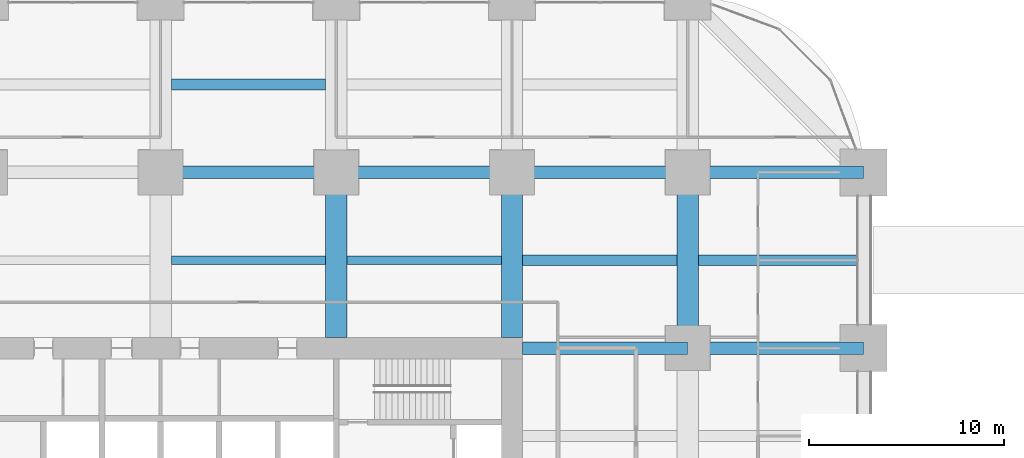
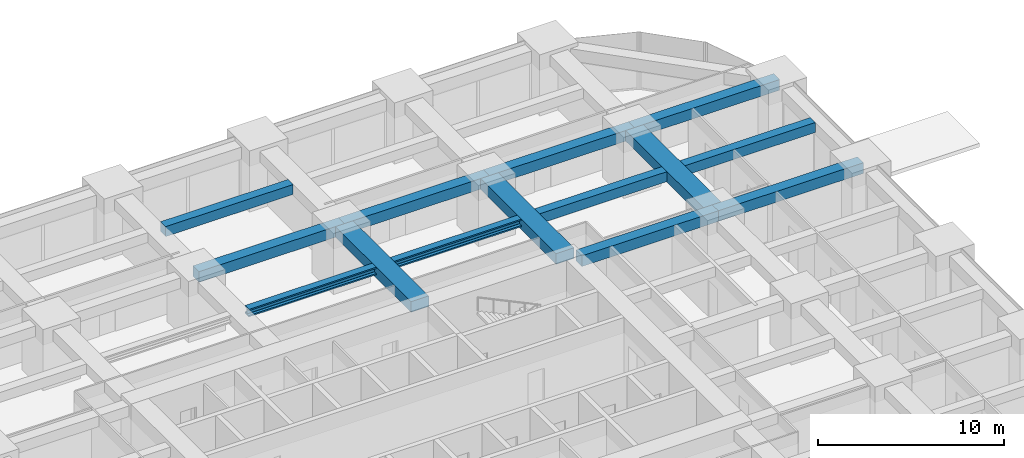
# One storey, part 21 of 39: 14 beams.
"""IFC4 building model written with IfcOpenShell, lengths in metres."""

import ifcopenshell
import ifcopenshell.guid

model = None  # the IFC model being written
_history = None  # IfcOwnerHistory: only IFC2X3 demands one
_inside = {}  # id of a spatial element -> (the spatial element, [elements in it])
_under = {}  # id of a project, library or spatial element -> (it, [spatial elements below it])
_declared = {}  # id of a project -> (the project, [libraries it declares])
_typed = {}  # id of a type object -> (the type object, [elements of that type])
_made_of = {}  # id of a material, layer set ... -> (it, [elements and type objects made of it])


def new_model(schema):
    """Start an empty IFC model of exactly this schema.

    Asked for "IFC4X3", IfcOpenShell would pick the latest addendum, in which some entities
    have other attributes; the version numbers below select the first issue.
    IFC2X3 requires an IfcOwnerHistory on every rooted entity: one is made here for all.
    """
    global model, _history
    if schema == "IFC4X3":
        model = ifcopenshell.file(schema_version=(4, 3, 0, 0))
    else:
        model = ifcopenshell.file(schema=schema)
    _inside.clear()
    _under.clear()
    _declared.clear()
    _typed.clear()
    _made_of.clear()
    _history = None
    if model.schema == "IFC2X3":
        org = make("IfcOrganization", Name="unknown")
        user = make(
            "IfcPersonAndOrganization",
            ThePerson=make("IfcPerson", FamilyName="unknown"),
            TheOrganization=org,
        )
        app = make(
            "IfcApplication",
            ApplicationDeveloper=org,
            Version="unknown",
            ApplicationFullName="unknown",
            ApplicationIdentifier="unknown",
        )
        _history = make(
            "IfcOwnerHistory",
            OwningUser=user,
            OwningApplication=app,
            ChangeAction="ADDED",
            CreationDate=0,
        )
    return model


def make(cls, **values):
    """One entity of the class cls with the attributes given. An attribute that is None is left unset."""
    return model.create_entity(
        cls, **{name: value for name, value in values.items() if value is not None}
    )


def rooted(cls, **values):
    """An entity with a GlobalId (a new one), such as an element, a storey or a relation."""
    return make(cls, GlobalId=ifcopenshell.guid.new(), OwnerHistory=_history, **values)


def si_unit(unit_type, name, prefix=None):
    """IfcSIUnit, for example si_unit("LENGTHUNIT", "METRE", prefix="MILLI")."""
    return make("IfcSIUnit", UnitType=unit_type, Prefix=prefix, Name=name)


def assignment(units):
    """IfcUnitAssignment: the units of a project."""
    return None if units is None else make("IfcUnitAssignment", Units=units)


def point(xyz):
    """IfcCartesianPoint."""
    return None if xyz is None else make("IfcCartesianPoint", Coordinates=xyz)


def direction(xyz):
    """IfcDirection."""
    return None if xyz is None else make("IfcDirection", DirectionRatios=xyz)


def frame(location, z_axis=None, x_axis=None):
    """IfcAxis2Placement3D, a coordinate frame: its origin and axes. An axis left out is left unset."""
    return make(
        "IfcAxis2Placement3D",
        Location=point(location),
        Axis=direction(z_axis),
        RefDirection=direction(x_axis),
    )


def frame_2d(location, x_axis=None):
    """IfcAxis2Placement2D, a coordinate frame in the plane: its origin and x axis."""
    return make(
        "IfcAxis2Placement2D", Location=point(location), RefDirection=direction(x_axis)
    )


def origin():
    """The frame at (0, 0, 0) with its axes left unset."""
    return frame((0.0, 0.0, 0.0))


def origin_2d():
    """The frame at (0, 0) in the plane with its x axis left unset."""
    return frame_2d((0.0, 0.0))


def place(relative_to, where):
    """IfcLocalPlacement: puts the frame where relative to a parent placement (None: the world)."""
    return make(
        "IfcLocalPlacement", PlacementRelTo=relative_to, RelativePlacement=where
    )


def context(
    kind, dimensions, precision=None, world=None, true_north=None, identifier=None
):
    """IfcGeometricRepresentationContext, for example the 3D "Model" context."""
    return make(
        "IfcGeometricRepresentationContext",
        ContextIdentifier=identifier,
        ContextType=kind,
        CoordinateSpaceDimension=dimensions,
        Precision=precision,
        WorldCoordinateSystem=world,
        TrueNorth=true_north,
    )


def subcontext(parent, identifier, kind, view, scale=None):
    """IfcGeometricRepresentationSubContext, for example "Body" below "Model"."""
    return make(
        "IfcGeometricRepresentationSubContext",
        ContextIdentifier=identifier,
        ContextType=kind,
        ParentContext=parent,
        TargetScale=scale,
        TargetView=view,
    )


def project(units=None, contexts=None):
    """IfcProject with its units and contexts."""
    return rooted(
        "IfcProject",
        Name="project",
        RepresentationContexts=contexts,
        UnitsInContext=assignment(units),
    )


def spatial(cls, under=None, at=None, **own):
    """A site, building, storey or space (cls), placed at a placement, below another one or the project."""
    s = rooted(cls, ObjectPlacement=at, **own)
    if under is not None:
        _under.setdefault(under.id(), (under, []))[1].append(s)
    return s


def profile(cls, at=None, kind="AREA", **sizes):
    """A parametric profile (cls). Its sizes go by their IFC names, for example OverallWidth=200.0."""
    return make(cls, ProfileType=kind, Position=at, **sizes)


def rectangle(**sizes):
    """IfcRectangleProfileDef."""
    return profile("IfcRectangleProfileDef", **sizes)


def i_section(**sizes):
    """IfcIShapeProfileDef."""
    return profile("IfcIShapeProfileDef", **sizes)


def extrude(swept, where, along, depth):
    """IfcExtrudedAreaSolid: the profile swept, set in the frame where, extruded along a direction by depth."""
    return make(
        "IfcExtrudedAreaSolid",
        SweptArea=swept,
        Position=where,
        ExtrudedDirection=direction(along),
        Depth=depth,
    )


def shape(context_of_items, identifier, shape_type, items):
    """IfcShapeRepresentation: the items that make up one representation, for example the "Body"."""
    return make(
        "IfcShapeRepresentation",
        ContextOfItems=context_of_items,
        RepresentationIdentifier=identifier,
        RepresentationType=shape_type,
        Items=items,
    )


def material(Name=None, Category=None):
    """IfcMaterial."""
    return make("IfcMaterial", Name=Name, Category=Category)


def material_profile(
    of_material, cross_section, Name=None, Category=None, Priority=None
):
    """IfcMaterialProfile: a cross section and its material."""
    return make(
        "IfcMaterialProfile",
        Name=Name,
        Material=of_material,
        Profile=cross_section,
        Priority=Priority,
        Category=Category,
    )


def profile_set(profiles, Name=None, composite=None):
    """IfcMaterialProfileSet."""
    return make(
        "IfcMaterialProfileSet",
        Name=Name,
        MaterialProfiles=profiles,
        CompositeProfile=composite,
    )


def made_of(thing, what):
    """Note that an element or type object is made of a material, layer set ...; save() writes the relation."""
    if what is not None:
        _made_of.setdefault(what.id(), (what, []))[1].append(thing)
    return thing


def type_object(cls, material=None, **own):
    """A type object (cls), such as IfcWallType, which elements share."""
    return made_of(rooted(cls, **own), material)


def element(
    cls,
    number,
    at=None,
    inside=None,
    cuts=None,
    type_object=None,
    material=None,
    context=None,
    identifier="Body",
    shape_type=None,
    held_by="IfcProductDefinitionShape",
    body=None,
    shapes=None,
    **own,
):
    """One element of the class cls, such as IfcWall. Its Tag is "e" and its number.

    at: its placement. inside: the storey or other place that contains it. cuts: it is an
    opening in that element (IfcRelVoidsElement). A single representation is given by context,
    identifier, shape_type and body (its items); several are given by shapes. held_by: the class
    of the entity that holds the representations. save() writes the other relations.
    """
    e = rooted(cls, Tag="e%d" % number, ObjectPlacement=at, **own)
    if body is not None:
        shapes = [shape(context, identifier, shape_type, body)]
    if shapes is not None:
        e.Representation = make(held_by, Representations=shapes)
    if inside is not None:
        _inside.setdefault(inside.id(), (inside, []))[1].append(e)
    if cuts is not None:
        rooted(
            "IfcRelVoidsElement", RelatingBuildingElement=cuts, RelatedOpeningElement=e
        )
    if type_object is not None:
        _typed.setdefault(type_object.id(), (type_object, []))[1].append(e)
    return made_of(e, material)


def aggregate(whole, parts):
    """IfcRelAggregates: a whole, such as a stair, and the parts it consists of."""
    return rooted("IfcRelAggregates", RelatingObject=whole, RelatedObjects=parts)


def save(model, path):
    """Write the relations noted so far, then the file.

    IfcRelAggregates (storeys below a building ...), IfcRelContainedInSpatialStructure (elements
    in a storey), IfcRelDefinesByType, IfcRelAssociatesMaterial and IfcRelDeclares: one each for
    every whole, place, type object, material and project.
    """
    for whole, parts in _under.values():
        aggregate(whole, parts)
    for where, things in _inside.values():
        rooted(
            "IfcRelContainedInSpatialStructure",
            RelatedElements=things,
            RelatingStructure=where,
        )
    for kind, things in _typed.values():
        rooted("IfcRelDefinesByType", RelatedObjects=things, RelatingType=kind)
    for what, things in _made_of.values():
        rooted("IfcRelAssociatesMaterial", RelatedObjects=things, RelatingMaterial=what)
    for by, libraries in _declared.values():
        rooted("IfcRelDeclares", RelatingContext=by, RelatedDefinitions=libraries)
    model.write(path)


model = new_model("IFC4")

# Units and contexts
model_context = context("Model", 3, precision=1e-05, world=origin(), true_north=direction((0.0, 1.0)))
body_context = subcontext(model_context, "Body", "Model", "MODEL_VIEW")
ifc_project = project(units=[si_unit("LENGTHUNIT", "METRE"), si_unit("AREAUNIT", "SQUARE_METRE"), si_unit("VOLUMEUNIT", "CUBIC_METRE"), si_unit("PLANEANGLEUNIT", "RADIAN"), si_unit("MASSUNIT", "GRAM", prefix="KILO")], contexts=[model_context])

# Site, building, storey
site_placement = place(None, origin())
site = spatial("IfcSite", under=ifc_project, at=site_placement, CompositionType="ELEMENT")
building_placement = place(site_placement, origin())
building = spatial("IfcBuilding", under=site, at=building_placement, Name="Zorevar Civic Tower", CompositionType="ELEMENT")
storey_placement = place(building_placement, frame((0.0, 0.0, 19.800048828125)))
storey = spatial("IfcBuildingStorey", under=building, at=storey_placement, Name="L04", CompositionType="ELEMENT", Elevation=19.800048828125)

# Beams
ifc_material_1 = material(Name="Concrete C50/60", Category="concrete")
ifc_material_profile_1 = material_profile(ifc_material_1, rectangle(XDim=1.10009765625, YDim=0.699951171875, at=origin_2d()), Name="RC 1100x700")
ifc_profile_set_1 = profile_set([ifc_material_profile_1], Name="Concrete C50/60")
beam_type_1 = type_object("IfcBeamType", Name="Beam RC 1100x700", PredefinedType="BEAM", material=ifc_profile_set_1)
for number, where, z_axis, x_axis, name in (
    (1, (36.0, 36.550048828125, 3.39990234375), (0.0, 1.0, 0.0), (-1.0, 0.0, 0.0), "Girder L05"),
    (2, (45.0, 36.550048828125, 3.39990234375), (0.0, 1.0, 0.0), (-1.0, 0.0, 0.0), "Girder L05"),
):
    element("IfcBeam", number, at=place(storey_placement, frame(where, z_axis=z_axis, x_axis=x_axis)), inside=storey, type_object=beam_type_1, Name=name, PredefinedType="BEAM", context=body_context, shape_type="SweptSolid", body=[
        extrude(rectangle(XDim=1.10009765625, YDim=0.699951171875, at=origin_2d()), origin(), (0.0, 0.0, 1.0), 8.449951171875),
    ])
beam_1_placement = place(storey_placement, frame((54.0, 36.0, 3.39990234375), z_axis=(0.0, 1.0, 0.0), x_axis=(-1.0, 0.0, 0.0)))
element("IfcBeam", 3, at=beam_1_placement, inside=storey, type_object=beam_type_1, Name="Girder L05", PredefinedType="BEAM", context=body_context, shape_type="SweptSolid", body=[
    extrude(rectangle(XDim=1.10009765625, YDim=0.699951171875, at=origin_2d()), origin(), (0.0, 0.0, 1.0), 9.0),
])
ifc_material_2 = material(Name="Concrete C50/60", Category="concrete")
ifc_material_profile_2 = material_profile(ifc_material_2, rectangle(XDim=0.550048828125, YDim=0.64990234375, at=origin_2d()), Name="RC 550x650")
ifc_profile_set_2 = profile_set([ifc_material_profile_2], Name="Concrete C50/60")
beam_type_2 = type_object("IfcBeamType", Name="Beam RC 550x650", PredefinedType="BEAM", material=ifc_profile_set_2)
beam_2_placement = place(storey_placement, frame((45.550048828125, 40.5, 3.425048828125), z_axis=(1.0, 0.0, 0.0), x_axis=(0.0, 1.0, 0.0)))
element("IfcBeam", 4, at=beam_2_placement, inside=storey, type_object=beam_type_2, Name="Secondary beam L05", PredefinedType="BEAM", context=body_context, shape_type="SweptSolid", body=[
    extrude(rectangle(XDim=0.550048828125, YDim=0.64990234375, at=origin_2d()), origin(), (0.0, 0.0, 1.0), 7.89990234375),
])
beam_3_placement = place(storey_placement, frame((54.550048828125, 40.5, 3.425048828125), z_axis=(1.0, 0.0, 0.0), x_axis=(0.0, 1.0, 0.0)))
element("IfcBeam", 5, at=beam_3_placement, inside=storey, type_object=beam_type_2, Name="Secondary beam L05", PredefinedType="BEAM", context=body_context, shape_type="SweptSolid", body=[
    extrude(rectangle(XDim=0.550048828125, YDim=0.64990234375, at=origin_2d()), origin(), (0.0, 0.0, 1.0), 8.099853515625),
])
beam_4_placement = place(storey_placement, frame((27.550048828125, 49.5, 3.425048828125), z_axis=(1.0, 0.0, 0.0), x_axis=(0.0, 1.0, 0.0)))
element("IfcBeam", 6, at=beam_4_placement, inside=storey, type_object=beam_type_2, Name="Secondary beam L05", PredefinedType="BEAM", context=body_context, shape_type="SweptSolid", body=[
    extrude(rectangle(XDim=0.550048828125, YDim=0.64990234375, at=origin_2d()), origin(), (0.0, 0.0, 1.0), 7.89990234375),
])
ifc_material_3 = material(Name="Concrete C50/60", Category="concrete")
ifc_material_profile_3 = material_profile(ifc_material_3, rectangle(XDim=0.64990234375, YDim=0.699951171875, at=origin_2d()), Name="RC 650x700")
ifc_profile_set_3 = profile_set([ifc_material_profile_3], Name="Concrete C50/60")
beam_type_3 = type_object("IfcBeamType", Name="Beam RC 650x700", PredefinedType="BEAM", material=ifc_profile_set_3)
beam_5_placement = place(storey_placement, frame((45.550048828125, 36.0, 3.39990234375), z_axis=(1.0, 0.0, 0.0), x_axis=(0.0, 1.0, 0.0)))
element("IfcBeam", 7, at=beam_5_placement, inside=storey, type_object=beam_type_3, Name="Girder L05", PredefinedType="BEAM", context=body_context, shape_type="SweptSolid", body=[
    extrude(rectangle(XDim=0.64990234375, YDim=0.699951171875, at=origin_2d()), origin(), (0.0, 0.0, 1.0), 8.449951171875),
])
for number, where, z_axis, x_axis, name in (
    (8, (54.0, 36.0, 3.39990234375), (1.0, 0.0, 0.0), (0.0, 1.0, 0.0), "Girder L05"),
    (9, (27.0, 45.0, 3.39990234375), (1.0, 0.0, 0.0), (0.0, 1.0, 0.0), "Girder L05"),
    (10, (36.0, 45.0, 3.39990234375), (1.0, 0.0, 0.0), (0.0, 1.0, 0.0), "Girder L05"),
    (11, (45.0, 45.0, 3.39990234375), (1.0, 0.0, 0.0), (0.0, 1.0, 0.0), "Girder L05"),
    (12, (54.0, 45.0, 3.39990234375), (1.0, 0.0, 0.0), (0.0, 1.0, 0.0), "Girder L05"),
):
    element("IfcBeam", number, at=place(storey_placement, frame(where, z_axis=z_axis, x_axis=x_axis)), inside=storey, type_object=beam_type_3, Name=name, PredefinedType="BEAM", context=body_context, shape_type="SweptSolid", body=[
        extrude(rectangle(XDim=0.64990234375, YDim=0.699951171875, at=origin_2d()), origin(), (0.0, 0.0, 1.0), 9.0),
    ])
ifc_material_4 = material(Name="Steel S460M (HISTAR 460)", Category="steel")
ifc_material_profile_4 = material_profile(ifc_material_4, i_section(OverallWidth=0.431884765625, OverallDepth=0.498046875, WebThickness=0.0556640625, FlangeThickness=0.0888671875, FilletRadius=0.014892578125, at=origin_2d()), Name="HD 400x744")
ifc_profile_set_4 = profile_set([ifc_material_profile_4], Name="Steel S460M (HISTAR 460)")
beam_type_4 = type_object("IfcBeamType", Name="Core bay beam HD 400x744", PredefinedType="BEAM", material=ifc_profile_set_4)
for number, where, z_axis, x_axis, name in (
    (13, (27.550048828125, 40.5, 3.5009765625), (1.0, 0.0, 0.0), (0.0, 1.0, 0.0), "Secondary beam L05"),
    (14, (36.550048828125, 40.5, 3.5009765625), (1.0, 0.0, 0.0), (0.0, 1.0, 0.0), "Secondary beam L05"),
):
    element("IfcBeam", number, at=place(storey_placement, frame(where, z_axis=z_axis, x_axis=x_axis)), inside=storey, type_object=beam_type_4, Name=name, PredefinedType="BEAM", context=body_context, shape_type="SweptSolid", body=[
        extrude(i_section(OverallWidth=0.431884765625, OverallDepth=0.498046875, WebThickness=0.0556640625, FlangeThickness=0.0888671875, FilletRadius=0.014892578125, at=origin_2d()), origin(), (0.0, 0.0, 1.0), 7.89990234375),
    ])

save(model, "model.ifc")
